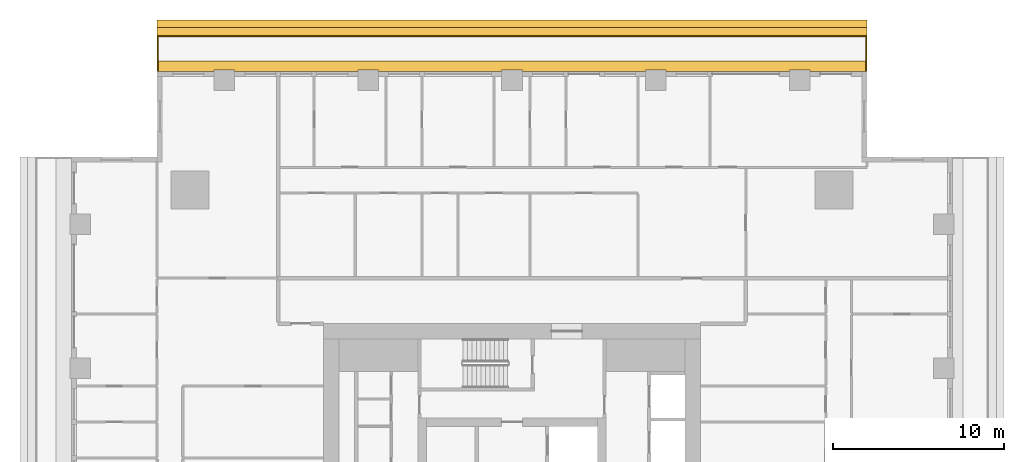
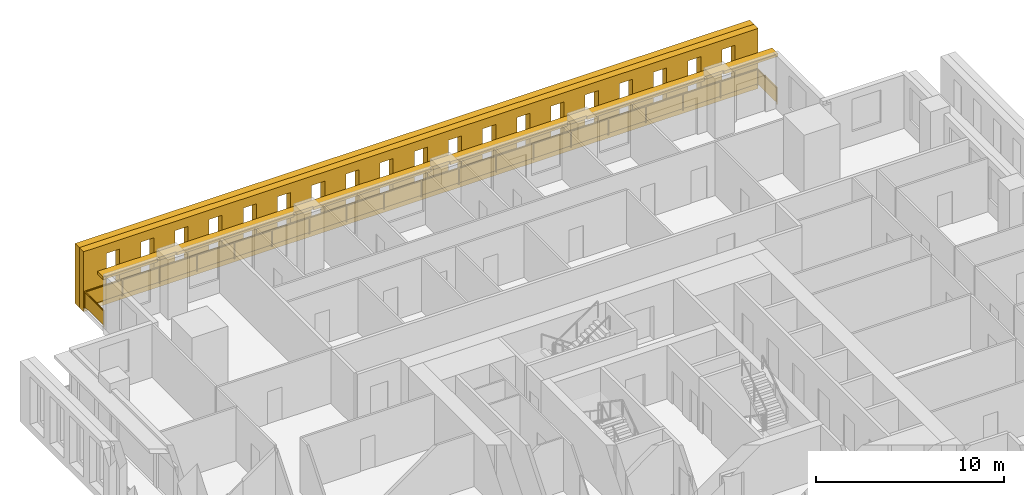
# One storey, part 14 of 14: 3 shading devices, 1 railing.
"""IFC4 building model written with IfcOpenShell, lengths in metres."""

import ifcopenshell
import ifcopenshell.guid

model = None  # the IFC model being written
_history = None  # IfcOwnerHistory: only IFC2X3 demands one
_inside = {}  # id of a spatial element -> (the spatial element, [elements in it])
_under = {}  # id of a project, library or spatial element -> (it, [spatial elements below it])
_declared = {}  # id of a project -> (the project, [libraries it declares])
_typed = {}  # id of a type object -> (the type object, [elements of that type])
_made_of = {}  # id of a material, layer set ... -> (it, [elements and type objects made of it])


def new_model(schema):
    """Start an empty IFC model of exactly this schema.

    Asked for "IFC4X3", IfcOpenShell would pick the latest addendum, in which some entities
    have other attributes; the version numbers below select the first issue.
    IFC2X3 requires an IfcOwnerHistory on every rooted entity: one is made here for all.
    """
    global model, _history
    if schema == "IFC4X3":
        model = ifcopenshell.file(schema_version=(4, 3, 0, 0))
    else:
        model = ifcopenshell.file(schema=schema)
    _inside.clear()
    _under.clear()
    _declared.clear()
    _typed.clear()
    _made_of.clear()
    _history = None
    if model.schema == "IFC2X3":
        org = make("IfcOrganization", Name="unknown")
        user = make(
            "IfcPersonAndOrganization",
            ThePerson=make("IfcPerson", FamilyName="unknown"),
            TheOrganization=org,
        )
        app = make(
            "IfcApplication",
            ApplicationDeveloper=org,
            Version="unknown",
            ApplicationFullName="unknown",
            ApplicationIdentifier="unknown",
        )
        _history = make(
            "IfcOwnerHistory",
            OwningUser=user,
            OwningApplication=app,
            ChangeAction="ADDED",
            CreationDate=0,
        )
    return model


def make(cls, **values):
    """One entity of the class cls with the attributes given. An attribute that is None is left unset."""
    return model.create_entity(
        cls, **{name: value for name, value in values.items() if value is not None}
    )


def rooted(cls, **values):
    """An entity with a GlobalId (a new one), such as an element, a storey or a relation."""
    return make(cls, GlobalId=ifcopenshell.guid.new(), OwnerHistory=_history, **values)


def si_unit(unit_type, name, prefix=None):
    """IfcSIUnit, for example si_unit("LENGTHUNIT", "METRE", prefix="MILLI")."""
    return make("IfcSIUnit", UnitType=unit_type, Prefix=prefix, Name=name)


def assignment(units):
    """IfcUnitAssignment: the units of a project."""
    return None if units is None else make("IfcUnitAssignment", Units=units)


def point(xyz):
    """IfcCartesianPoint."""
    return None if xyz is None else make("IfcCartesianPoint", Coordinates=xyz)


def direction(xyz):
    """IfcDirection."""
    return None if xyz is None else make("IfcDirection", DirectionRatios=xyz)


def frame(location, z_axis=None, x_axis=None):
    """IfcAxis2Placement3D, a coordinate frame: its origin and axes. An axis left out is left unset."""
    return make(
        "IfcAxis2Placement3D",
        Location=point(location),
        Axis=direction(z_axis),
        RefDirection=direction(x_axis),
    )


def frame_2d(location, x_axis=None):
    """IfcAxis2Placement2D, a coordinate frame in the plane: its origin and x axis."""
    return make(
        "IfcAxis2Placement2D", Location=point(location), RefDirection=direction(x_axis)
    )


def origin():
    """The frame at (0, 0, 0) with its axes left unset."""
    return frame((0.0, 0.0, 0.0))


def origin_2d():
    """The frame at (0, 0) in the plane with its x axis left unset."""
    return frame_2d((0.0, 0.0))


def place(relative_to, where):
    """IfcLocalPlacement: puts the frame where relative to a parent placement (None: the world)."""
    return make(
        "IfcLocalPlacement", PlacementRelTo=relative_to, RelativePlacement=where
    )


def context(
    kind, dimensions, precision=None, world=None, true_north=None, identifier=None
):
    """IfcGeometricRepresentationContext, for example the 3D "Model" context."""
    return make(
        "IfcGeometricRepresentationContext",
        ContextIdentifier=identifier,
        ContextType=kind,
        CoordinateSpaceDimension=dimensions,
        Precision=precision,
        WorldCoordinateSystem=world,
        TrueNorth=true_north,
    )


def subcontext(parent, identifier, kind, view, scale=None):
    """IfcGeometricRepresentationSubContext, for example "Body" below "Model"."""
    return make(
        "IfcGeometricRepresentationSubContext",
        ContextIdentifier=identifier,
        ContextType=kind,
        ParentContext=parent,
        TargetScale=scale,
        TargetView=view,
    )


def project(units=None, contexts=None):
    """IfcProject with its units and contexts."""
    return rooted(
        "IfcProject",
        Name="project",
        RepresentationContexts=contexts,
        UnitsInContext=assignment(units),
    )


def spatial(cls, under=None, at=None, **own):
    """A site, building, storey or space (cls), placed at a placement, below another one or the project."""
    s = rooted(cls, ObjectPlacement=at, **own)
    if under is not None:
        _under.setdefault(under.id(), (under, []))[1].append(s)
    return s


def polyline(points):
    """IfcPolyline through the points."""
    return make("IfcPolyline", Points=[point(p) for p in points])


def profile(cls, at=None, kind="AREA", **sizes):
    """A parametric profile (cls). Its sizes go by their IFC names, for example OverallWidth=200.0."""
    return make(cls, ProfileType=kind, Position=at, **sizes)


def rectangle(**sizes):
    """IfcRectangleProfileDef."""
    return profile("IfcRectangleProfileDef", **sizes)


def outline(outer, holes=None, kind="AREA"):
    """IfcArbitraryClosedProfileDef: a profile drawn as a closed curve; with holes, ...WithVoids."""
    if holes is None:
        return make("IfcArbitraryClosedProfileDef", ProfileType=kind, OuterCurve=outer)
    return make(
        "IfcArbitraryProfileDefWithVoids",
        ProfileType=kind,
        OuterCurve=outer,
        InnerCurves=holes,
    )


def extrude(swept, where, along, depth):
    """IfcExtrudedAreaSolid: the profile swept, set in the frame where, extruded along a direction by depth."""
    return make(
        "IfcExtrudedAreaSolid",
        SweptArea=swept,
        Position=where,
        ExtrudedDirection=direction(along),
        Depth=depth,
    )


def shape(context_of_items, identifier, shape_type, items):
    """IfcShapeRepresentation: the items that make up one representation, for example the "Body"."""
    return make(
        "IfcShapeRepresentation",
        ContextOfItems=context_of_items,
        RepresentationIdentifier=identifier,
        RepresentationType=shape_type,
        Items=items,
    )


def material(Name=None, Category=None):
    """IfcMaterial."""
    return make("IfcMaterial", Name=Name, Category=Category)


def layer(
    of_material, thickness, ventilated=None, Name=None, Category=None, Priority=None
):
    """IfcMaterialLayer: one layer of a wall or slab, of a material (None: an air gap)."""
    return make(
        "IfcMaterialLayer",
        Material=of_material,
        LayerThickness=thickness,
        IsVentilated=ventilated,
        Name=Name,
        Category=Category,
        Priority=Priority,
    )


def layer_set(layers, Name=None):
    """IfcMaterialLayerSet."""
    return make("IfcMaterialLayerSet", MaterialLayers=layers, LayerSetName=Name)


def made_of(thing, what):
    """Note that an element or type object is made of a material, layer set ...; save() writes the relation."""
    if what is not None:
        _made_of.setdefault(what.id(), (what, []))[1].append(thing)
    return thing


def type_object(cls, material=None, **own):
    """A type object (cls), such as IfcWallType, which elements share."""
    return made_of(rooted(cls, **own), material)


def element(
    cls,
    number,
    at=None,
    inside=None,
    cuts=None,
    type_object=None,
    material=None,
    context=None,
    identifier="Body",
    shape_type=None,
    held_by="IfcProductDefinitionShape",
    body=None,
    shapes=None,
    **own,
):
    """One element of the class cls, such as IfcWall. Its Tag is "e" and its number.

    at: its placement. inside: the storey or other place that contains it. cuts: it is an
    opening in that element (IfcRelVoidsElement). A single representation is given by context,
    identifier, shape_type and body (its items); several are given by shapes. held_by: the class
    of the entity that holds the representations. save() writes the other relations.
    """
    e = rooted(cls, Tag="e%d" % number, ObjectPlacement=at, **own)
    if body is not None:
        shapes = [shape(context, identifier, shape_type, body)]
    if shapes is not None:
        e.Representation = make(held_by, Representations=shapes)
    if inside is not None:
        _inside.setdefault(inside.id(), (inside, []))[1].append(e)
    if cuts is not None:
        rooted(
            "IfcRelVoidsElement", RelatingBuildingElement=cuts, RelatedOpeningElement=e
        )
    if type_object is not None:
        _typed.setdefault(type_object.id(), (type_object, []))[1].append(e)
    return made_of(e, material)


def aggregate(whole, parts):
    """IfcRelAggregates: a whole, such as a stair, and the parts it consists of."""
    return rooted("IfcRelAggregates", RelatingObject=whole, RelatedObjects=parts)


def save(model, path):
    """Write the relations noted so far, then the file.

    IfcRelAggregates (storeys below a building ...), IfcRelContainedInSpatialStructure (elements
    in a storey), IfcRelDefinesByType, IfcRelAssociatesMaterial and IfcRelDeclares: one each for
    every whole, place, type object, material and project.
    """
    for whole, parts in _under.values():
        aggregate(whole, parts)
    for where, things in _inside.values():
        rooted(
            "IfcRelContainedInSpatialStructure",
            RelatedElements=things,
            RelatingStructure=where,
        )
    for kind, things in _typed.values():
        rooted("IfcRelDefinesByType", RelatedObjects=things, RelatingType=kind)
    for what, things in _made_of.values():
        rooted("IfcRelAssociatesMaterial", RelatedObjects=things, RelatingMaterial=what)
    for by, libraries in _declared.values():
        rooted("IfcRelDeclares", RelatingContext=by, RelatedDefinitions=libraries)
    model.write(path)


model = new_model("IFC4")

# Units and contexts
model_context = context("Model", 3, precision=1e-05, world=origin(), true_north=direction((0.0, 1.0)))
body_context = subcontext(model_context, "Body", "Model", "MODEL_VIEW")
ifc_project = project(units=[si_unit("LENGTHUNIT", "METRE"), si_unit("AREAUNIT", "SQUARE_METRE"), si_unit("VOLUMEUNIT", "CUBIC_METRE"), si_unit("PLANEANGLEUNIT", "RADIAN"), si_unit("MASSUNIT", "GRAM", prefix="KILO")], contexts=[model_context])

# Site, building, storey
site_placement = place(None, origin())
site = spatial("IfcSite", under=ifc_project, at=site_placement, CompositionType="ELEMENT")
building_placement = place(site_placement, origin())
building = spatial("IfcBuilding", under=site, at=building_placement, Name="Khepri Terraces", CompositionType="ELEMENT")
storey_placement = place(building_placement, frame((0.0, 0.0, 275.699951171875)))
storey = spatial("IfcBuildingStorey", under=building, at=storey_placement, Name="L66", CompositionType="ELEMENT", Elevation=275.699951171875)

# Railing
ifc_material_1 = material(Name="Stainless steel grade 316", Category="steel")
railing_type = type_object("IfcRailingType", Name="GRD-BAL-1100", PredefinedType="GUARDRAIL", material=ifc_material_1)
railing_placement = place(storey_placement, frame((20.669921875, 25.719970703125, 0.0)))
element("IfcRailing", 1, at=railing_placement, inside=storey, type_object=railing_type, Name="Balcony guard L66 N", PredefinedType="GUARDRAIL", context=body_context, shape_type="SweptSolid", body=[
    extrude(rectangle(XDim=0.050048828125, YDim=0.06005859375, at=origin_2d()), frame((0.0, 0.0, 1.070068359375), z_axis=(0.0, 1.0, 0.0), x_axis=(-1.0, 0.0, 0.0)), (0.0, 0.0, 1.0), 2.050048828125),
    extrude(rectangle(XDim=2.0, YDim=0.011962890625, at=origin_2d()), frame((0.0, 1.02490234375, 0.10009765625), z_axis=(0.0, 0.0, 1.0), x_axis=(0.0, 1.0, 0.0)), (0.0, 0.0, 1.0), 0.93994140625),
    extrude(rectangle(XDim=0.050048828125, YDim=0.06005859375, at=origin_2d()), frame((0.0, 2.050048828125, 1.070068359375), z_axis=(-1.0, 0.0, 0.0), x_axis=(0.0, -1.0, 0.0)), (0.0, 0.0, 1.0), 41.33984375),
    extrude(rectangle(XDim=2.24658203125, YDim=0.011962890625, at=origin_2d()), frame((-1.1484375, 2.050048828125, 0.10009765625), z_axis=(0.0, 0.0, 1.0), x_axis=(-1.0, 0.0, 0.0)), (0.0, 0.0, 1.0), 0.93994140625),
    extrude(rectangle(XDim=2.24658203125, YDim=0.011962890625, at=origin_2d()), frame((-3.445068359375, 2.050048828125, 0.10009765625), z_axis=(0.0, 0.0, 1.0), x_axis=(-1.0, 0.0, 0.0)), (0.0, 0.0, 1.0), 0.93994140625),
    extrude(rectangle(XDim=2.24658203125, YDim=0.011962890625, at=origin_2d()), frame((-5.74169921875, 2.050048828125, 0.10009765625), z_axis=(0.0, 0.0, 1.0), x_axis=(-1.0, 0.0, 0.0)), (0.0, 0.0, 1.0), 0.93994140625),
    extrude(rectangle(XDim=2.24658203125, YDim=0.011962890625, at=origin_2d()), frame((-8.038330078125, 2.050048828125, 0.10009765625), z_axis=(0.0, 0.0, 1.0), x_axis=(-1.0, 0.0, 0.0)), (0.0, 0.0, 1.0), 0.93994140625),
    extrude(rectangle(XDim=2.24658203125, YDim=0.011962890625, at=origin_2d()), frame((-10.3349609375, 2.050048828125, 0.10009765625), z_axis=(0.0, 0.0, 1.0), x_axis=(-1.0, 0.0, 0.0)), (0.0, 0.0, 1.0), 0.93994140625),
    extrude(rectangle(XDim=2.24658203125, YDim=0.011962890625, at=origin_2d()), frame((-12.631591796875, 2.050048828125, 0.10009765625), z_axis=(0.0, 0.0, 1.0), x_axis=(-1.0, 0.0, 0.0)), (0.0, 0.0, 1.0), 0.93994140625),
    extrude(rectangle(XDim=2.24658203125, YDim=0.011962890625, at=origin_2d()), frame((-14.92822265625, 2.050048828125, 0.10009765625), z_axis=(0.0, 0.0, 1.0), x_axis=(-1.0, 0.0, 0.0)), (0.0, 0.0, 1.0), 0.93994140625),
    extrude(rectangle(XDim=2.24658203125, YDim=0.011962890625, at=origin_2d()), frame((-17.224853515625, 2.050048828125, 0.10009765625), z_axis=(0.0, 0.0, 1.0), x_axis=(-1.0, 0.0, 0.0)), (0.0, 0.0, 1.0), 0.93994140625),
    extrude(rectangle(XDim=2.24658203125, YDim=0.011962890625, at=origin_2d()), frame((-19.521484375, 2.050048828125, 0.10009765625), z_axis=(0.0, 0.0, 1.0), x_axis=(-1.0, 0.0, 0.0)), (0.0, 0.0, 1.0), 0.93994140625),
    extrude(rectangle(XDim=2.24658203125, YDim=0.011962890625, at=origin_2d()), frame((-21.818359375, 2.050048828125, 0.10009765625), z_axis=(0.0, 0.0, 1.0), x_axis=(-1.0, 0.0, 0.0)), (0.0, 0.0, 1.0), 0.93994140625),
    extrude(rectangle(XDim=2.24658203125, YDim=0.011962890625, at=origin_2d()), frame((-24.114990234375, 2.050048828125, 0.10009765625), z_axis=(0.0, 0.0, 1.0), x_axis=(-1.0, 0.0, 0.0)), (0.0, 0.0, 1.0), 0.93994140625),
    extrude(rectangle(XDim=2.24658203125, YDim=0.011962890625, at=origin_2d()), frame((-26.41162109375, 2.050048828125, 0.10009765625), z_axis=(0.0, 0.0, 1.0), x_axis=(-1.0, 0.0, 0.0)), (0.0, 0.0, 1.0), 0.93994140625),
    extrude(rectangle(XDim=2.24658203125, YDim=0.011962890625, at=origin_2d()), frame((-28.708251953125, 2.050048828125, 0.10009765625), z_axis=(0.0, 0.0, 1.0), x_axis=(-1.0, 0.0, 0.0)), (0.0, 0.0, 1.0), 0.93994140625),
    extrude(rectangle(XDim=2.24658203125, YDim=0.011962890625, at=origin_2d()), frame((-31.0048828125, 2.050048828125, 0.10009765625), z_axis=(0.0, 0.0, 1.0), x_axis=(-1.0, 0.0, 0.0)), (0.0, 0.0, 1.0), 0.93994140625),
    extrude(rectangle(XDim=2.24658203125, YDim=0.011962890625, at=origin_2d()), frame((-33.301513671875, 2.050048828125, 0.10009765625), z_axis=(0.0, 0.0, 1.0), x_axis=(-1.0, 0.0, 0.0)), (0.0, 0.0, 1.0), 0.93994140625),
    extrude(rectangle(XDim=2.24658203125, YDim=0.011962890625, at=origin_2d()), frame((-35.59814453125, 2.050048828125, 0.10009765625), z_axis=(0.0, 0.0, 1.0), x_axis=(-1.0, 0.0, 0.0)), (0.0, 0.0, 1.0), 0.93994140625),
    extrude(rectangle(XDim=2.24658203125, YDim=0.011962890625, at=origin_2d()), frame((-37.894775390625, 2.050048828125, 0.10009765625), z_axis=(0.0, 0.0, 1.0), x_axis=(-1.0, 0.0, 0.0)), (0.0, 0.0, 1.0), 0.93994140625),
    extrude(rectangle(XDim=2.24658203125, YDim=0.011962890625, at=origin_2d()), frame((-40.19140625, 2.050048828125, 0.10009765625), z_axis=(0.0, 0.0, 1.0), x_axis=(-1.0, 0.0, 0.0)), (0.0, 0.0, 1.0), 0.93994140625),
    extrude(rectangle(XDim=0.050048828125, YDim=0.06005859375, at=origin_2d()), frame((-41.33984375, 2.050048828125, 1.070068359375), z_axis=(0.0, -1.0, 0.0), x_axis=(1.0, 0.0, 0.0)), (0.0, 0.0, 1.0), 2.050048828125),
    extrude(rectangle(XDim=2.0, YDim=0.011962890625, at=origin_2d()), frame((-41.33984375, 1.02490234375, 0.10009765625), z_axis=(0.0, 0.0, 1.0), x_axis=(0.0, -1.0, 0.0)), (0.0, 0.0, 1.0), 0.93994140625),
    extrude(rectangle(XDim=0.050048828125, YDim=0.050048828125, at=origin_2d()), origin(), (0.0, 0.0, 1.0), 1.0400390625),
    extrude(rectangle(XDim=0.050048828125, YDim=0.050048828125, at=origin_2d()), frame((0.0, 2.050048828125, 0.0)), (0.0, 0.0, 1.0), 1.0400390625),
    extrude(rectangle(XDim=0.050048828125, YDim=0.050048828125, at=origin_2d()), frame((-2.296630859375, 2.050048828125, 0.0)), (0.0, 0.0, 1.0), 1.0400390625),
    extrude(rectangle(XDim=0.050048828125, YDim=0.050048828125, at=origin_2d()), frame((-4.59326171875, 2.050048828125, 0.0)), (0.0, 0.0, 1.0), 1.0400390625),
    extrude(rectangle(XDim=0.050048828125, YDim=0.050048828125, at=origin_2d()), frame((-6.889892578125, 2.050048828125, 0.0)), (0.0, 0.0, 1.0), 1.0400390625),
    extrude(rectangle(XDim=0.050048828125, YDim=0.050048828125, at=origin_2d()), frame((-9.1865234375, 2.050048828125, 0.0)), (0.0, 0.0, 1.0), 1.0400390625),
    extrude(rectangle(XDim=0.050048828125, YDim=0.050048828125, at=origin_2d()), frame((-11.4833984375, 2.050048828125, 0.0)), (0.0, 0.0, 1.0), 1.0400390625),
    extrude(rectangle(XDim=0.050048828125, YDim=0.050048828125, at=origin_2d()), frame((-13.780029296875, 2.050048828125, 0.0)), (0.0, 0.0, 1.0), 1.0400390625),
    extrude(rectangle(XDim=0.050048828125, YDim=0.050048828125, at=origin_2d()), frame((-16.07666015625, 2.050048828125, 0.0)), (0.0, 0.0, 1.0), 1.0400390625),
    extrude(rectangle(XDim=0.050048828125, YDim=0.050048828125, at=origin_2d()), frame((-18.373291015625, 2.050048828125, 0.0)), (0.0, 0.0, 1.0), 1.0400390625),
    extrude(rectangle(XDim=0.050048828125, YDim=0.050048828125, at=origin_2d()), frame((-20.669921875, 2.050048828125, 0.0)), (0.0, 0.0, 1.0), 1.0400390625),
    extrude(rectangle(XDim=0.050048828125, YDim=0.050048828125, at=origin_2d()), frame((-22.966552734375, 2.050048828125, 0.0)), (0.0, 0.0, 1.0), 1.0400390625),
    extrude(rectangle(XDim=0.050048828125, YDim=0.050048828125, at=origin_2d()), frame((-25.26318359375, 2.050048828125, 0.0)), (0.0, 0.0, 1.0), 1.0400390625),
    extrude(rectangle(XDim=0.050048828125, YDim=0.050048828125, at=origin_2d()), frame((-27.559814453125, 2.050048828125, 0.0)), (0.0, 0.0, 1.0), 1.0400390625),
    extrude(rectangle(XDim=0.050048828125, YDim=0.050048828125, at=origin_2d()), frame((-29.8564453125, 2.050048828125, 0.0)), (0.0, 0.0, 1.0), 1.0400390625),
    extrude(rectangle(XDim=0.050048828125, YDim=0.050048828125, at=origin_2d()), frame((-32.1533203125, 2.050048828125, 0.0)), (0.0, 0.0, 1.0), 1.0400390625),
    extrude(rectangle(XDim=0.050048828125, YDim=0.050048828125, at=origin_2d()), frame((-34.449951171875, 2.050048828125, 0.0)), (0.0, 0.0, 1.0), 1.0400390625),
    extrude(rectangle(XDim=0.050048828125, YDim=0.050048828125, at=origin_2d()), frame((-36.74658203125, 2.050048828125, 0.0)), (0.0, 0.0, 1.0), 1.0400390625),
    extrude(rectangle(XDim=0.050048828125, YDim=0.050048828125, at=origin_2d()), frame((-39.043212890625, 2.050048828125, 0.0)), (0.0, 0.0, 1.0), 1.0400390625),
    extrude(rectangle(XDim=0.050048828125, YDim=0.050048828125, at=origin_2d()), frame((-41.33984375, 2.050048828125, 0.0)), (0.0, 0.0, 1.0), 1.0400390625),
    extrude(rectangle(XDim=0.050048828125, YDim=0.050048828125, at=origin_2d()), frame((-41.33984375, 0.0, 0.0)), (0.0, 0.0, 1.0), 1.0400390625),
])

# Shading devices
ifc_material_2 = material(Name="Precast concrete C50/60 warm stone", Category="masonry")
shading_device_type_1 = type_object("IfcShadingDeviceType", Name="SCR-CELL-INNER-450", PredefinedType="USERDEFINED", material=ifc_material_2)
shading_device_1_placement = place(storey_placement, frame((20.719970703125, 27.820068359375, -0.25), z_axis=(0.0, 1.0, 0.0), x_axis=(-1.0, 0.0, 0.0)))
element("IfcShadingDevice", 2, at=shading_device_1_placement, inside=storey, type_object=shading_device_type_1, Name="Cell screen L66 N in", ObjectType="SCREEN", PredefinedType="USERDEFINED", context=body_context, shape_type="SweptSolid", body=[
    extrude(outline(polyline([(0.0, 0.0), (41.43994140625, 0.0), (41.43994140625, 3.89990234375), (0.0, 3.89990234375), (0.0, 0.0)]), holes=[polyline([(1.41845703125, 0.699951171875), (2.2216796875, 0.699951171875), (2.2216796875, 3.300048828125), (1.41845703125, 3.300048828125), (1.41845703125, 0.699951171875)]), polyline([(3.518310546875, 0.699951171875), (4.321533203125, 0.699951171875), (4.321533203125, 3.300048828125), (3.518310546875, 3.300048828125), (3.518310546875, 0.699951171875)]), polyline([(5.618408203125, 0.699951171875), (6.421630859375, 0.699951171875), (6.421630859375, 3.300048828125), (5.618408203125, 3.300048828125), (5.618408203125, 0.699951171875)]), polyline([(7.718505859375, 0.699951171875), (8.521484375, 0.699951171875), (8.521484375, 3.300048828125), (7.718505859375, 3.300048828125), (7.718505859375, 0.699951171875)]), polyline([(9.818359375, 0.699951171875), (10.62158203125, 0.699951171875), (10.62158203125, 3.300048828125), (9.818359375, 3.300048828125), (9.818359375, 0.699951171875)]), polyline([(11.91845703125, 0.699951171875), (12.7216796875, 0.699951171875), (12.7216796875, 3.300048828125), (11.91845703125, 3.300048828125), (11.91845703125, 0.699951171875)]), polyline([(14.018310546875, 0.699951171875), (14.821533203125, 0.699951171875), (14.821533203125, 3.300048828125), (14.018310546875, 3.300048828125), (14.018310546875, 0.699951171875)]), polyline([(16.118408203125, 0.699951171875), (16.921630859375, 0.699951171875), (16.921630859375, 3.300048828125), (16.118408203125, 3.300048828125), (16.118408203125, 0.699951171875)]), polyline([(18.218505859375, 0.699951171875), (19.021484375, 0.699951171875), (19.021484375, 3.300048828125), (18.218505859375, 3.300048828125), (18.218505859375, 0.699951171875)]), polyline([(20.318359375, 0.699951171875), (21.12158203125, 0.699951171875), (21.12158203125, 3.300048828125), (20.318359375, 3.300048828125), (20.318359375, 0.699951171875)]), polyline([(22.41845703125, 0.699951171875), (23.2216796875, 0.699951171875), (23.2216796875, 3.300048828125), (22.41845703125, 3.300048828125), (22.41845703125, 0.699951171875)]), polyline([(24.518310546875, 0.699951171875), (25.321533203125, 0.699951171875), (25.321533203125, 3.300048828125), (24.518310546875, 3.300048828125), (24.518310546875, 0.699951171875)]), polyline([(26.618408203125, 0.699951171875), (27.421630859375, 0.699951171875), (27.421630859375, 3.300048828125), (26.618408203125, 3.300048828125), (26.618408203125, 0.699951171875)]), polyline([(28.718505859375, 0.699951171875), (29.521484375, 0.699951171875), (29.521484375, 3.300048828125), (28.718505859375, 3.300048828125), (28.718505859375, 0.699951171875)]), polyline([(30.818359375, 0.699951171875), (31.62158203125, 0.699951171875), (31.62158203125, 3.300048828125), (30.818359375, 3.300048828125), (30.818359375, 0.699951171875)]), polyline([(32.91845703125, 0.699951171875), (33.7216796875, 0.699951171875), (33.7216796875, 3.300048828125), (32.91845703125, 3.300048828125), (32.91845703125, 0.699951171875)]), polyline([(35.018310546875, 0.699951171875), (35.821533203125, 0.699951171875), (35.821533203125, 3.300048828125), (35.018310546875, 3.300048828125), (35.018310546875, 0.699951171875)]), polyline([(37.118408203125, 0.699951171875), (37.921630859375, 0.699951171875), (37.921630859375, 3.300048828125), (37.118408203125, 3.300048828125), (37.118408203125, 0.699951171875)]), polyline([(39.218505859375, 0.699951171875), (40.021484375, 0.699951171875), (40.021484375, 3.300048828125), (39.218505859375, 3.300048828125), (39.218505859375, 0.699951171875)])]), origin(), (0.0, 0.0, 1.0), 0.449951171875),
])
shading_device_type_2 = type_object("IfcShadingDeviceType", Name="SCR-CELL-OUTER-450", PredefinedType="USERDEFINED", material=ifc_material_2)
shading_device_2_placement = place(storey_placement, frame((20.719970703125, 28.27001953125, -0.25), z_axis=(0.0, 1.0, 0.0), x_axis=(-1.0, 0.0, 0.0)))
element("IfcShadingDevice", 3, at=shading_device_2_placement, inside=storey, type_object=shading_device_type_2, Name="Cell screen L66 N out", ObjectType="SCREEN", PredefinedType="USERDEFINED", context=body_context, shape_type="SweptSolid", body=[
    extrude(outline(polyline([(0.0, 0.0), (41.43994140625, 0.0), (41.43994140625, 3.89990234375), (0.0, 3.89990234375), (0.0, 0.0)]), holes=[polyline([(1.068359375, 0.449951171875), (2.571533203125, 0.449951171875), (2.571533203125, 3.550048828125), (1.068359375, 3.550048828125), (1.068359375, 0.449951171875)]), polyline([(3.16845703125, 0.449951171875), (4.671630859375, 0.449951171875), (4.671630859375, 3.550048828125), (3.16845703125, 3.550048828125), (3.16845703125, 0.449951171875)]), polyline([(5.268310546875, 0.449951171875), (6.771484375, 0.449951171875), (6.771484375, 3.550048828125), (5.268310546875, 3.550048828125), (5.268310546875, 0.449951171875)]), polyline([(7.368408203125, 0.449951171875), (8.87158203125, 0.449951171875), (8.87158203125, 3.550048828125), (7.368408203125, 3.550048828125), (7.368408203125, 0.449951171875)]), polyline([(9.468505859375, 0.449951171875), (10.9716796875, 0.449951171875), (10.9716796875, 3.550048828125), (9.468505859375, 3.550048828125), (9.468505859375, 0.449951171875)]), polyline([(11.568359375, 0.449951171875), (13.071533203125, 0.449951171875), (13.071533203125, 3.550048828125), (11.568359375, 3.550048828125), (11.568359375, 0.449951171875)]), polyline([(13.66845703125, 0.449951171875), (15.171630859375, 0.449951171875), (15.171630859375, 3.550048828125), (13.66845703125, 3.550048828125), (13.66845703125, 0.449951171875)]), polyline([(15.768310546875, 0.449951171875), (17.271484375, 0.449951171875), (17.271484375, 3.550048828125), (15.768310546875, 3.550048828125), (15.768310546875, 0.449951171875)]), polyline([(17.868408203125, 0.449951171875), (19.37158203125, 0.449951171875), (19.37158203125, 3.550048828125), (17.868408203125, 3.550048828125), (17.868408203125, 0.449951171875)]), polyline([(19.968505859375, 0.449951171875), (21.4716796875, 0.449951171875), (21.4716796875, 3.550048828125), (19.968505859375, 3.550048828125), (19.968505859375, 0.449951171875)]), polyline([(22.068359375, 0.449951171875), (23.571533203125, 0.449951171875), (23.571533203125, 3.550048828125), (22.068359375, 3.550048828125), (22.068359375, 0.449951171875)]), polyline([(24.16845703125, 0.449951171875), (25.671630859375, 0.449951171875), (25.671630859375, 3.550048828125), (24.16845703125, 3.550048828125), (24.16845703125, 0.449951171875)]), polyline([(26.268310546875, 0.449951171875), (27.771484375, 0.449951171875), (27.771484375, 3.550048828125), (26.268310546875, 3.550048828125), (26.268310546875, 0.449951171875)]), polyline([(28.368408203125, 0.449951171875), (29.87158203125, 0.449951171875), (29.87158203125, 3.550048828125), (28.368408203125, 3.550048828125), (28.368408203125, 0.449951171875)]), polyline([(30.468505859375, 0.449951171875), (31.9716796875, 0.449951171875), (31.9716796875, 3.550048828125), (30.468505859375, 3.550048828125), (30.468505859375, 0.449951171875)]), polyline([(32.568359375, 0.449951171875), (34.071533203125, 0.449951171875), (34.071533203125, 3.550048828125), (32.568359375, 3.550048828125), (32.568359375, 0.449951171875)]), polyline([(34.66845703125, 0.449951171875), (36.171630859375, 0.449951171875), (36.171630859375, 3.550048828125), (34.66845703125, 3.550048828125), (34.66845703125, 0.449951171875)]), polyline([(36.768310546875, 0.449951171875), (38.271484375, 0.449951171875), (38.271484375, 3.550048828125), (36.768310546875, 3.550048828125), (36.768310546875, 0.449951171875)]), polyline([(38.868408203125, 0.449951171875), (40.37158203125, 0.449951171875), (40.37158203125, 3.550048828125), (38.868408203125, 3.550048828125), (38.868408203125, 0.449951171875)])]), origin(), (0.0, 0.0, 1.0), 0.449951171875),
])
ifc_layer = layer(ifc_material_2, 0.199951171875, Name="Precast concrete C50/60 warm stone", Category="masonry")
ifc_layer_set = layer_set([ifc_layer], Name="Precast concrete C50/60 warm stone")
shading_device_type_3 = type_object("IfcShadingDeviceType", Name="SSH-BAND-STONE-200-N", PredefinedType="USERDEFINED", material=ifc_layer_set)
shading_device_3_placement = place(storey_placement, frame((0.0, 0.0, 3.10009765625)))
element("IfcShadingDevice", 4, at=shading_device_3_placement, inside=storey, type_object=shading_device_type_3, Name="Sunshade band L66 N", ObjectType="SUNSHADE", PredefinedType="USERDEFINED", context=body_context, shape_type="SweptSolid", body=[
    extrude(outline(polyline([(17.39990234375, 25.719970703125), (20.719970703125, 25.719970703125), (20.719970703125, 26.320068359375), (-20.719970703125, 26.320068359375), (-20.719970703125, 25.719970703125), (-17.39990234375, 25.719970703125), (-17.39990234375, 25.800048828125), (-16.199951171875, 25.800048828125), (-16.199951171875, 25.719970703125), (-9.0, 25.719970703125), (-9.0, 25.800048828125), (-7.800048828125, 25.800048828125), (-7.800048828125, 25.719970703125), (-0.60009765625, 25.719970703125), (-0.60009765625, 25.800048828125), (0.60009765625, 25.800048828125), (0.60009765625, 25.719970703125), (7.800048828125, 25.719970703125), (7.800048828125, 25.800048828125), (9.0, 25.800048828125), (9.0, 25.719970703125), (16.199951171875, 25.719970703125), (16.199951171875, 25.800048828125), (17.39990234375, 25.800048828125), (17.39990234375, 25.719970703125)])), origin(), (0.0, 0.0, 1.0), 0.199951171875),
])

save(model, "model.ifc")
